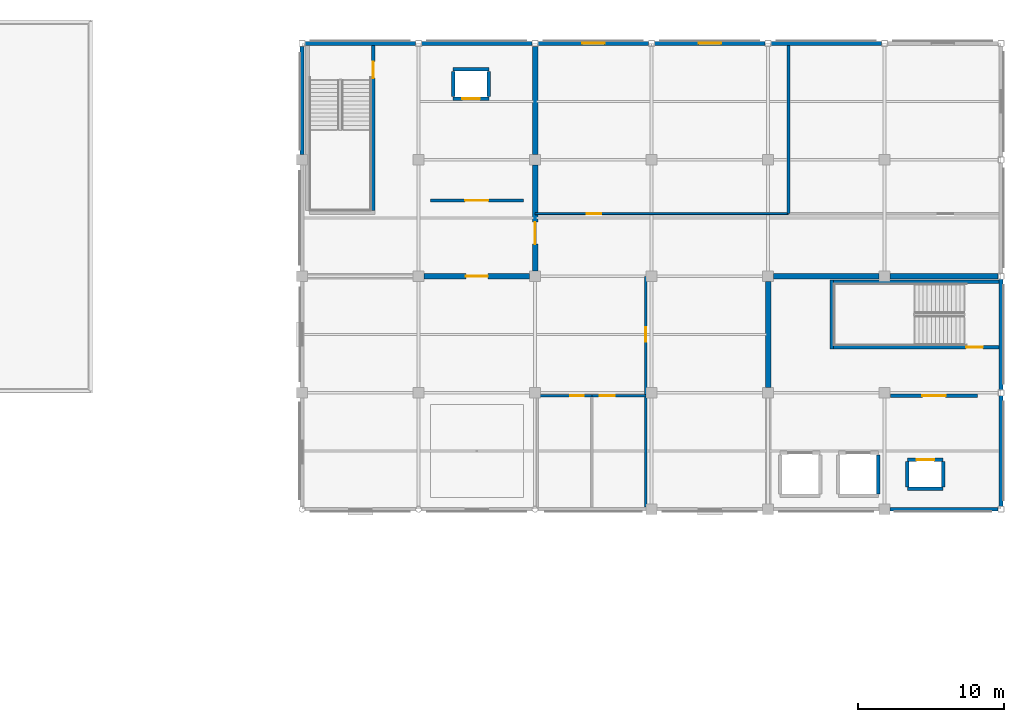
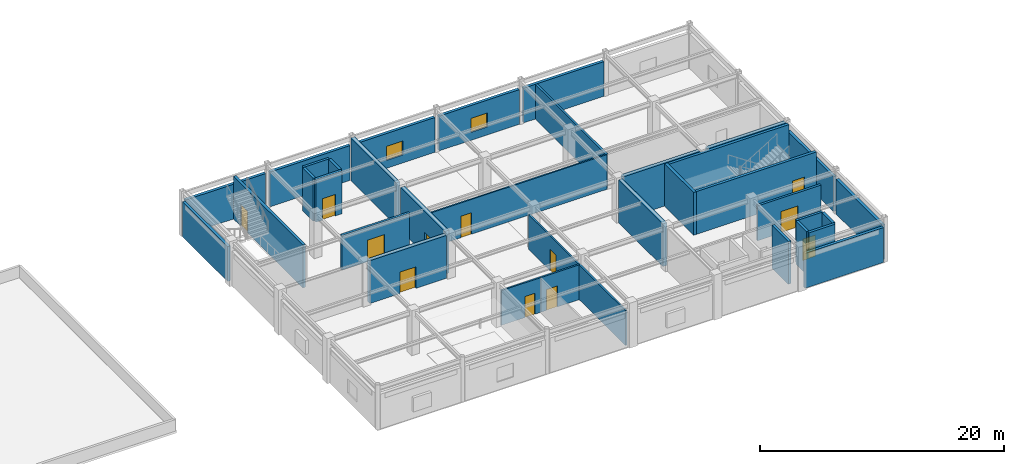
# One storey, part 34 of 42: 35 walls, 12 doors, 2 windows, 14 openings.
"""IFC4 building model written with IfcOpenShell, lengths in metres."""

import ifcopenshell
import ifcopenshell.guid

model = None  # the IFC model being written
_history = None  # IfcOwnerHistory: only IFC2X3 demands one
_inside = {}  # id of a spatial element -> (the spatial element, [elements in it])
_under = {}  # id of a project, library or spatial element -> (it, [spatial elements below it])
_declared = {}  # id of a project -> (the project, [libraries it declares])
_typed = {}  # id of a type object -> (the type object, [elements of that type])
_made_of = {}  # id of a material, layer set ... -> (it, [elements and type objects made of it])


def new_model(schema):
    """Start an empty IFC model of exactly this schema.

    Asked for "IFC4X3", IfcOpenShell would pick the latest addendum, in which some entities
    have other attributes; the version numbers below select the first issue.
    IFC2X3 requires an IfcOwnerHistory on every rooted entity: one is made here for all.
    """
    global model, _history
    if schema == "IFC4X3":
        model = ifcopenshell.file(schema_version=(4, 3, 0, 0))
    else:
        model = ifcopenshell.file(schema=schema)
    _inside.clear()
    _under.clear()
    _declared.clear()
    _typed.clear()
    _made_of.clear()
    _history = None
    if model.schema == "IFC2X3":
        org = make("IfcOrganization", Name="unknown")
        user = make(
            "IfcPersonAndOrganization",
            ThePerson=make("IfcPerson", FamilyName="unknown"),
            TheOrganization=org,
        )
        app = make(
            "IfcApplication",
            ApplicationDeveloper=org,
            Version="unknown",
            ApplicationFullName="unknown",
            ApplicationIdentifier="unknown",
        )
        _history = make(
            "IfcOwnerHistory",
            OwningUser=user,
            OwningApplication=app,
            ChangeAction="ADDED",
            CreationDate=0,
        )
    return model


def make(cls, **values):
    """One entity of the class cls with the attributes given. An attribute that is None is left unset."""
    return model.create_entity(
        cls, **{name: value for name, value in values.items() if value is not None}
    )


def rooted(cls, **values):
    """An entity with a GlobalId (a new one), such as an element, a storey or a relation."""
    return make(cls, GlobalId=ifcopenshell.guid.new(), OwnerHistory=_history, **values)


def si_unit(unit_type, name, prefix=None):
    """IfcSIUnit, for example si_unit("LENGTHUNIT", "METRE", prefix="MILLI")."""
    return make("IfcSIUnit", UnitType=unit_type, Prefix=prefix, Name=name)


def assignment(units):
    """IfcUnitAssignment: the units of a project."""
    return None if units is None else make("IfcUnitAssignment", Units=units)


def point(xyz):
    """IfcCartesianPoint."""
    return None if xyz is None else make("IfcCartesianPoint", Coordinates=xyz)


def direction(xyz):
    """IfcDirection."""
    return None if xyz is None else make("IfcDirection", DirectionRatios=xyz)


def frame(location, z_axis=None, x_axis=None):
    """IfcAxis2Placement3D, a coordinate frame: its origin and axes. An axis left out is left unset."""
    return make(
        "IfcAxis2Placement3D",
        Location=point(location),
        Axis=direction(z_axis),
        RefDirection=direction(x_axis),
    )


def frame_2d(location, x_axis=None):
    """IfcAxis2Placement2D, a coordinate frame in the plane: its origin and x axis."""
    return make(
        "IfcAxis2Placement2D", Location=point(location), RefDirection=direction(x_axis)
    )


def origin():
    """The frame at (0, 0, 0) with its axes left unset."""
    return frame((0.0, 0.0, 0.0))


def place(relative_to, where):
    """IfcLocalPlacement: puts the frame where relative to a parent placement (None: the world)."""
    return make(
        "IfcLocalPlacement", PlacementRelTo=relative_to, RelativePlacement=where
    )


def context(
    kind, dimensions, precision=None, world=None, true_north=None, identifier=None
):
    """IfcGeometricRepresentationContext, for example the 3D "Model" context."""
    return make(
        "IfcGeometricRepresentationContext",
        ContextIdentifier=identifier,
        ContextType=kind,
        CoordinateSpaceDimension=dimensions,
        Precision=precision,
        WorldCoordinateSystem=world,
        TrueNorth=true_north,
    )


def subcontext(parent, identifier, kind, view, scale=None):
    """IfcGeometricRepresentationSubContext, for example "Body" below "Model"."""
    return make(
        "IfcGeometricRepresentationSubContext",
        ContextIdentifier=identifier,
        ContextType=kind,
        ParentContext=parent,
        TargetScale=scale,
        TargetView=view,
    )


def project(units=None, contexts=None):
    """IfcProject with its units and contexts."""
    return rooted(
        "IfcProject",
        Name="project",
        RepresentationContexts=contexts,
        UnitsInContext=assignment(units),
    )


def spatial(cls, under=None, at=None, **own):
    """A site, building, storey or space (cls), placed at a placement, below another one or the project."""
    s = rooted(cls, ObjectPlacement=at, **own)
    if under is not None:
        _under.setdefault(under.id(), (under, []))[1].append(s)
    return s


def profile(cls, at=None, kind="AREA", **sizes):
    """A parametric profile (cls). Its sizes go by their IFC names, for example OverallWidth=200.0."""
    return make(cls, ProfileType=kind, Position=at, **sizes)


def rectangle(**sizes):
    """IfcRectangleProfileDef."""
    return profile("IfcRectangleProfileDef", **sizes)


def extrude(swept, where, along, depth):
    """IfcExtrudedAreaSolid: the profile swept, set in the frame where, extruded along a direction by depth."""
    return make(
        "IfcExtrudedAreaSolid",
        SweptArea=swept,
        Position=where,
        ExtrudedDirection=direction(along),
        Depth=depth,
    )


def shape(context_of_items, identifier, shape_type, items):
    """IfcShapeRepresentation: the items that make up one representation, for example the "Body"."""
    return make(
        "IfcShapeRepresentation",
        ContextOfItems=context_of_items,
        RepresentationIdentifier=identifier,
        RepresentationType=shape_type,
        Items=items,
    )


def material(Name=None, Category=None):
    """IfcMaterial."""
    return make("IfcMaterial", Name=Name, Category=Category)


def layer(
    of_material, thickness, ventilated=None, Name=None, Category=None, Priority=None
):
    """IfcMaterialLayer: one layer of a wall or slab, of a material (None: an air gap)."""
    return make(
        "IfcMaterialLayer",
        Material=of_material,
        LayerThickness=thickness,
        IsVentilated=ventilated,
        Name=Name,
        Category=Category,
        Priority=Priority,
    )


def layer_set(layers, Name=None):
    """IfcMaterialLayerSet."""
    return make("IfcMaterialLayerSet", MaterialLayers=layers, LayerSetName=Name)


def made_of(thing, what):
    """Note that an element or type object is made of a material, layer set ...; save() writes the relation."""
    if what is not None:
        _made_of.setdefault(what.id(), (what, []))[1].append(thing)
    return thing


def type_object(cls, material=None, **own):
    """A type object (cls), such as IfcWallType, which elements share."""
    return made_of(rooted(cls, **own), material)


def element(
    cls,
    number,
    at=None,
    inside=None,
    cuts=None,
    type_object=None,
    material=None,
    context=None,
    identifier="Body",
    shape_type=None,
    held_by="IfcProductDefinitionShape",
    body=None,
    shapes=None,
    **own,
):
    """One element of the class cls, such as IfcWall. Its Tag is "e" and its number.

    at: its placement. inside: the storey or other place that contains it. cuts: it is an
    opening in that element (IfcRelVoidsElement). A single representation is given by context,
    identifier, shape_type and body (its items); several are given by shapes. held_by: the class
    of the entity that holds the representations. save() writes the other relations.
    """
    e = rooted(cls, Tag="e%d" % number, ObjectPlacement=at, **own)
    if body is not None:
        shapes = [shape(context, identifier, shape_type, body)]
    if shapes is not None:
        e.Representation = make(held_by, Representations=shapes)
    if inside is not None:
        _inside.setdefault(inside.id(), (inside, []))[1].append(e)
    if cuts is not None:
        rooted(
            "IfcRelVoidsElement", RelatingBuildingElement=cuts, RelatedOpeningElement=e
        )
    if type_object is not None:
        _typed.setdefault(type_object.id(), (type_object, []))[1].append(e)
    return made_of(e, material)


def fill(opening, filler):
    """IfcRelFillsElement: the door or window that sits in an opening."""
    return rooted(
        "IfcRelFillsElement",
        RelatingOpeningElement=opening,
        RelatedBuildingElement=filler,
    )


def aggregate(whole, parts):
    """IfcRelAggregates: a whole, such as a stair, and the parts it consists of."""
    return rooted("IfcRelAggregates", RelatingObject=whole, RelatedObjects=parts)


def save(model, path):
    """Write the relations noted so far, then the file.

    IfcRelAggregates (storeys below a building ...), IfcRelContainedInSpatialStructure (elements
    in a storey), IfcRelDefinesByType, IfcRelAssociatesMaterial and IfcRelDeclares: one each for
    every whole, place, type object, material and project.
    """
    for whole, parts in _under.values():
        aggregate(whole, parts)
    for where, things in _inside.values():
        rooted(
            "IfcRelContainedInSpatialStructure",
            RelatedElements=things,
            RelatingStructure=where,
        )
    for kind, things in _typed.values():
        rooted("IfcRelDefinesByType", RelatedObjects=things, RelatingType=kind)
    for what, things in _made_of.values():
        rooted("IfcRelAssociatesMaterial", RelatedObjects=things, RelatingMaterial=what)
    for by, libraries in _declared.values():
        rooted("IfcRelDeclares", RelatingContext=by, RelatedDefinitions=libraries)
    model.write(path)


model = new_model("IFC4")

# Units and contexts
model_context = context("Model", 3, precision=1e-05, world=origin(), true_north=direction((0.0, 1.0)))
body_context = subcontext(model_context, "Body", "Model", "MODEL_VIEW")
ifc_project = project(units=[si_unit("LENGTHUNIT", "METRE"), si_unit("AREAUNIT", "SQUARE_METRE"), si_unit("VOLUMEUNIT", "CUBIC_METRE"), si_unit("PLANEANGLEUNIT", "RADIAN"), si_unit("MASSUNIT", "GRAM", prefix="KILO")], contexts=[model_context])

# Site, building, storey
site_placement = place(None, origin())
site = spatial("IfcSite", under=ifc_project, at=site_placement, CompositionType="ELEMENT")
building_placement = place(site_placement, origin())
building = spatial("IfcBuilding", under=site, at=building_placement, Name="Solmirada Galleria", CompositionType="ELEMENT")
storey_placement = place(building_placement, frame((0.0, 0.0, 28.39990234375)))
storey = spatial("IfcBuildingStorey", under=building, at=storey_placement, Name="L06", CompositionType="ELEMENT", Elevation=28.39990234375)

# Wall, opening, door
ifc_material_1 = material(Name="Concrete C40/50", Category="concrete")
ifc_layer_1 = layer(ifc_material_1, 0.3798828125)
ifc_layer_set_1 = layer_set([ifc_layer_1], Name="Concrete C40/50")
wall_type_1 = type_object("IfcWallType", Name="WL-CORE-380", PredefinedType="SHEAR", material=ifc_layer_set_1)
wall_1_placement = place(storey_placement, frame((136.375, 104.0, 0.0), z_axis=(0.0, 0.0, 1.0), x_axis=(1.0, 0.0, 0.0)))
wall_1 = element("IfcWall", 1, at=wall_1_placement, inside=storey, type_object=wall_type_1, Name="Core C3 shear wall L06 S2", PredefinedType="SHEAR", context=body_context, shape_type="SweptSolid", body=[
    extrude(rectangle(XDim=7.25, YDim=0.3798828125, at=frame_2d((3.625, 0.0))), origin(), (0.0, 0.0, 1.0), 4.280029296875),
])
opening_1_placement = place(wall_1_placement, frame((2.875, 0.0, 0.0)))
opening_1 = element("IfcOpeningElement", 2, at=opening_1_placement, cuts=wall_1, Name="Opening LDY-198", PredefinedType="OPENING", context=body_context, shape_type="SweptSolid", body=[
    extrude(rectangle(XDim=1.5, YDim=2.14990234375, at=frame_2d((0.75, 1.074951171875))), frame((0.0, 0.199951171875, 0.0), z_axis=(0.0, -1.0, 0.0), x_axis=(1.0, 0.0, 0.0)), (0.0, 0.0, 1.0), 0.39990234375),
])
ifc_material_2 = material(Name="Fire-rated painted steel door assembly", Category="steel")
door_type_1 = type_object("IfcDoorType", Name="DR-LOBBY-150X215", OperationType="DOUBLE_DOOR_SINGLE_SWING", PredefinedType="DOOR", material=ifc_material_2)
door_1_placement = place(opening_1_placement, origin())
door_1 = element("IfcDoor", 3, at=door_1_placement, inside=storey, type_object=door_type_1, Name="Core C3 lobby access fire door LDY-198", OperationType="DOUBLE_DOOR_SINGLE_SWING", OverallHeight=2.14990234375, OverallWidth=1.5, PredefinedType="DOOR", context=body_context, shape_type="SweptSolid", body=[
    extrude(rectangle(XDim=1.5, YDim=2.14990234375, at=frame_2d((0.75, 1.074951171875))), frame((0.0, 0.02490234375, 0.0), z_axis=(0.0, -1.0, 0.0), x_axis=(1.0, 0.0, 0.0)), (0.0, 0.0, 1.0), 0.050048828125),
])
fill(opening_1, door_1)

wall_2_placement = place(storey_placement, frame((144.0, 104.375, 0.0), z_axis=(0.0, 0.0, 1.0), x_axis=(0.0, 1.0, 0.0)))
wall_2 = element("IfcWall", 4, at=wall_2_placement, inside=storey, type_object=wall_type_1, Name="Core C3 shear wall L06 E1", PredefinedType="SHEAR", context=body_context, shape_type="SweptSolid", body=[
    extrude(rectangle(XDim=7.25, YDim=0.3798828125, at=frame_2d((3.625, 0.0))), origin(), (0.0, 0.0, 1.0), 4.280029296875),
])
opening_2_placement = place(wall_2_placement, frame((1.837890625, 0.0, 0.0)))
opening_2 = element("IfcOpeningElement", 5, at=opening_2_placement, cuts=wall_2, Name="Opening LDY-199", PredefinedType="OPENING", context=body_context, shape_type="SweptSolid", body=[
    extrude(rectangle(XDim=1.5, YDim=2.14990234375, at=frame_2d((0.75, 1.074951171875))), frame((0.0, 0.199951171875, 0.0), z_axis=(0.0, -1.0, 0.0), x_axis=(1.0, 0.0, 0.0)), (0.0, 0.0, 1.0), 0.39990234375),
])
door_2_placement = place(opening_2_placement, origin())
door_2 = element("IfcDoor", 6, at=door_2_placement, inside=storey, type_object=door_type_1, Name="Core C3 lobby access fire door LDY-199", OperationType="DOUBLE_DOOR_SINGLE_SWING", OverallHeight=2.14990234375, OverallWidth=1.5, PredefinedType="DOOR", context=body_context, shape_type="SweptSolid", body=[
    extrude(rectangle(XDim=1.5, YDim=2.14990234375, at=frame_2d((0.75, 1.074951171875))), frame((0.0, 0.02490234375, 0.0), z_axis=(0.0, -1.0, 0.0), x_axis=(1.0, 0.0, 0.0)), (0.0, 0.0, 1.0), 0.050048828125),
])
fill(opening_2, door_2)

# Walls
wall_3_placement = place(storey_placement, frame((144.0, 112.375, 0.0), z_axis=(0.0, 0.0, 1.0), x_axis=(0.0, 1.0, 0.0)))
element("IfcWall", 7, at=wall_3_placement, inside=storey, type_object=wall_type_1, Name="Core C3 shear wall L06 E2", PredefinedType="SHEAR", context=body_context, shape_type="SweptSolid", body=[
    extrude(rectangle(XDim=7.422119140625, YDim=0.3798828125, at=frame_2d((3.7109375, 0.0))), origin(), (0.0, 0.0, 1.0), 4.280029296875),
])
wall_4_placement = place(storey_placement, frame((160.375, 104.0, 0.0), z_axis=(0.0, 0.0, 1.0), x_axis=(1.0, 0.0, 0.0)))
element("IfcWall", 8, at=wall_4_placement, inside=storey, type_object=wall_type_1, Name="Core C4 shear wall L06 N1", PredefinedType="SHEAR", context=body_context, shape_type="SweptSolid", body=[
    extrude(rectangle(XDim=7.25, YDim=0.3798828125, at=frame_2d((3.625, 0.0))), origin(), (0.0, 0.0, 1.0), 4.280029296875),
])
wall_5_placement = place(storey_placement, frame((168.375, 104.0, 0.0), z_axis=(0.0, 0.0, 1.0), x_axis=(1.0, 0.0, 0.0)))
element("IfcWall", 9, at=wall_5_placement, inside=storey, type_object=wall_type_1, Name="Core C4 shear wall L06 N2", PredefinedType="SHEAR", context=body_context, shape_type="SweptSolid", body=[
    extrude(rectangle(XDim=7.422119140625, YDim=0.3798828125, at=frame_2d((3.7109375, 0.0))), origin(), (0.0, 0.0, 1.0), 4.280029296875),
])
wall_6_placement = place(storey_placement, frame((160.0, 96.375, 0.0), z_axis=(0.0, 0.0, 1.0), x_axis=(0.0, 1.0, 0.0)))
element("IfcWall", 10, at=wall_6_placement, inside=storey, type_object=wall_type_1, Name="Core C4 shear wall L06 W2", PredefinedType="SHEAR", context=body_context, shape_type="SweptSolid", body=[
    extrude(rectangle(XDim=7.25, YDim=0.3798828125, at=frame_2d((3.625, 0.0))), origin(), (0.0, 0.0, 1.0), 4.280029296875),
])

# Wall, opening, window
ifc_material_3 = material(Name="Precast concrete C40/50", Category="concrete")
ifc_layer_2 = layer(ifc_material_3, 0.27001953125)
ifc_layer_set_2 = layer_set([ifc_layer_2], Name="Precast concrete C40/50")
wall_type_2 = type_object("IfcWallType", Name="WL-EXT-270", PredefinedType="STANDARD", material=ifc_layer_set_2)
wall_7_placement = place(storey_placement, frame((152.202880859375, 120.0, 0.0), z_axis=(0.0, 0.0, 1.0), x_axis=(1.0, 0.0, 0.0)))
wall_7 = element("IfcWall", 11, at=wall_7_placement, inside=storey, type_object=wall_type_2, Name="Exterior wall L06 bay 041", PredefinedType="STANDARD", context=body_context, shape_type="SweptSolid", body=[
    extrude(rectangle(XDim=7.59423828125, YDim=0.27001953125, at=frame_2d((3.797119140625, 0.0))), origin(), (0.0, 0.0, 1.0), 3.47998046875),
])
opening_3_placement = place(wall_7_placement, frame((3.02197265625, 0.0, 0.800048828125)))
opening_3 = element("IfcOpeningElement", 12, at=opening_3_placement, cuts=wall_7, Name="Opening WN14", PredefinedType="OPENING", context=body_context, shape_type="SweptSolid", body=[
    extrude(rectangle(XDim=1.550048828125, YDim=1.39990234375, at=frame_2d((0.77490234375, 0.699951171875))), frame((0.0, 0.14501953125, 0.0), z_axis=(0.0, -1.0, 0.0), x_axis=(1.0, 0.0, 0.0)), (0.0, 0.0, 1.0), 0.2900390625),
])
ifc_material_4 = material(Name="Impact-resistant low-E double glazing", Category="glass")
window_type = type_object("IfcWindowType", Name="WIN-OFF-155X140", PartitioningType="SINGLE_PANEL", PredefinedType="WINDOW", material=ifc_material_4)
window_1_placement = place(opening_3_placement, origin())
window_1 = element("IfcWindow", 13, at=window_1_placement, inside=storey, type_object=window_type, Name="Window L06-203", OverallHeight=1.39990234375, OverallWidth=1.550048828125, PartitioningType="SINGLE_PANEL", PredefinedType="WINDOW", context=body_context, shape_type="SweptSolid", body=[
    extrude(rectangle(XDim=1.550048828125, YDim=1.39990234375, at=frame_2d((0.77490234375, 0.699951171875))), frame((0.0, 0.030029296875, 0.0), z_axis=(0.0, -1.0, 0.0), x_axis=(1.0, 0.0, 0.0)), (0.0, 0.0, 1.0), 0.06005859375),
])
fill(opening_3, window_1)

# Walls
for number, where, z_axis, x_axis, name in (
    (14, (160.202880859375, 120.0, 0.0), (0.0, 0.0, 1.0), (1.0, 0.0, 0.0), "Exterior wall L06 bay 042"),
    (15, (176.0, 103.797119140625, 0.0), (0.0, 0.0, 1.0), (0.0, -1.0, 0.0), "Exterior wall L06 bay 046"),
    (16, (176.0, 95.797119140625, 0.0), (0.0, 0.0, 1.0), (0.0, -1.0, 0.0), "Exterior wall L06 bay 047"),
):
    element("IfcWall", number, at=place(storey_placement, frame(where, z_axis=z_axis, x_axis=x_axis)), inside=storey, type_object=wall_type_2, Name=name, PredefinedType="STANDARD", context=body_context, shape_type="SweptSolid", body=[
        extrude(rectangle(XDim=7.59423828125, YDim=0.27001953125, at=frame_2d((3.797119140625, 0.0))), origin(), (0.0, 0.0, 1.0), 3.47998046875),
    ])
for number, where, z_axis, x_axis, name in (
    (17, (175.797119140625, 88.0, 0.0), (0.0, 0.0, 1.0), (-1.0, 0.0, 0.0), "Exterior wall L06 bay 048"),
    (18, (128.0, 112.375, 0.0), (0.0, 0.0, 1.0), (0.0, 1.0, 0.0), "Exterior wall L06 bay 057"),
):
    element("IfcWall", number, at=place(storey_placement, frame(where, z_axis=z_axis, x_axis=x_axis)), inside=storey, type_object=wall_type_2, Name=name, PredefinedType="STANDARD", context=body_context, shape_type="SweptSolid", body=[
        extrude(rectangle(XDim=7.422119140625, YDim=0.27001953125, at=frame_2d((3.7109375, 0.0))), origin(), (0.0, 0.0, 1.0), 3.47998046875),
    ])
for number, where, z_axis, x_axis, name in (
    (19, (128.202880859375, 120.0, 0.0), (0.0, 0.0, 1.0), (1.0, 0.0, 0.0), "Exterior wall L06 bay 058"),
    (20, (136.202880859375, 120.0, 0.0), (0.0, 0.0, 1.0), (1.0, 0.0, 0.0), "Exterior wall L06 bay 059"),
):
    element("IfcWall", number, at=place(storey_placement, frame(where, z_axis=z_axis, x_axis=x_axis)), inside=storey, type_object=wall_type_2, Name=name, PredefinedType="STANDARD", context=body_context, shape_type="SweptSolid", body=[
        extrude(rectangle(XDim=7.59423828125, YDim=0.27001953125, at=frame_2d((3.797119140625, 0.0))), origin(), (0.0, 0.0, 1.0), 3.47998046875),
    ])

# Wall, opening, window
wall_8_placement = place(storey_placement, frame((144.202880859375, 120.0, 0.0), z_axis=(0.0, 0.0, 1.0), x_axis=(1.0, 0.0, 0.0)))
wall_8 = element("IfcWall", 21, at=wall_8_placement, inside=storey, type_object=wall_type_2, Name="Exterior wall L06 bay 060", PredefinedType="STANDARD", context=body_context, shape_type="SweptSolid", body=[
    extrude(rectangle(XDim=7.59423828125, YDim=0.27001953125, at=frame_2d((3.797119140625, 0.0))), origin(), (0.0, 0.0, 1.0), 3.47998046875),
])
opening_4_placement = place(wall_8_placement, frame((3.02197265625, 0.0, 0.800048828125)))
opening_4 = element("IfcOpeningElement", 22, at=opening_4_placement, cuts=wall_8, Name="Opening WN14", PredefinedType="OPENING", context=body_context, shape_type="SweptSolid", body=[
    extrude(rectangle(XDim=1.550048828125, YDim=1.39990234375, at=frame_2d((0.77490234375, 0.699951171875))), frame((0.0, 0.14501953125, 0.0), z_axis=(0.0, -1.0, 0.0), x_axis=(1.0, 0.0, 0.0)), (0.0, 0.0, 1.0), 0.2900390625),
])
window_2_placement = place(opening_4_placement, origin())
window_2 = element("IfcWindow", 23, at=window_2_placement, inside=storey, type_object=window_type, Name="Window L06-211", OverallHeight=1.39990234375, OverallWidth=1.550048828125, PartitioningType="SINGLE_PANEL", PredefinedType="WINDOW", context=body_context, shape_type="SweptSolid", body=[
    extrude(rectangle(XDim=1.550048828125, YDim=1.39990234375, at=frame_2d((0.77490234375, 0.699951171875))), frame((0.0, 0.030029296875, 0.0), z_axis=(0.0, -1.0, 0.0), x_axis=(1.0, 0.0, 0.0)), (0.0, 0.0, 1.0), 0.06005859375),
])
fill(opening_4, window_2)

# Wall, opening, door
ifc_layer_3 = layer(ifc_material_1, 0.239990234375)
ifc_layer_set_3 = layer_set([ifc_layer_3], Name="Concrete C40/50")
wall_type_3 = type_object("IfcWallType", Name="WL-HOIST-240", PredefinedType="PARTITIONING", material=ifc_layer_set_3)
wall_9_placement = place(storey_placement, frame((138.3701171875, 116.195068359375, 0.0), z_axis=(0.0, 0.0, 1.0), x_axis=(1.0, 0.0, 0.0)))
wall_9 = element("IfcWall", 24, at=wall_9_placement, inside=storey, type_object=wall_type_3, Name="Lift FL1 hoistway front wall L06", PredefinedType="PARTITIONING", context=body_context, shape_type="SweptSolid", body=[
    extrude(rectangle(XDim=2.4599609375, YDim=0.239990234375, at=frame_2d((1.22998046875, 0.0))), origin(), (0.0, 0.0, 1.0), 4.280029296875),
])
opening_5_placement = place(wall_9_placement, frame((0.6298828125, 0.0, 0.0)))
opening_5 = element("IfcOpeningElement", 25, at=opening_5_placement, cuts=wall_9, Name="Opening LD-FL1-L06", PredefinedType="OPENING", context=body_context, shape_type="SweptSolid", body=[
    extrude(rectangle(XDim=1.199951171875, YDim=2.14990234375, at=frame_2d((0.60009765625, 1.074951171875))), frame((0.0, 0.1298828125, 0.0), z_axis=(0.0, -1.0, 0.0), x_axis=(1.0, 0.0, 0.0)), (0.0, 0.0, 1.0), 0.260009765625),
])
ifc_material_5 = material(Name="Brushed stainless-steel sliding landing door", Category="steel")
door_type_2 = type_object("IfcDoorType", Name="DR-LIFT-120X215", OperationType="SLIDING_TO_LEFT", PredefinedType="DOOR", material=ifc_material_5)
door_3_placement = place(opening_5_placement, origin())
door_3 = element("IfcDoor", 26, at=door_3_placement, inside=storey, type_object=door_type_2, Name="Lift FL1 sliding landing door L06", OperationType="SLIDING_TO_LEFT", OverallHeight=2.14990234375, OverallWidth=1.199951171875, PredefinedType="DOOR", context=body_context, shape_type="SweptSolid", body=[
    extrude(rectangle(XDim=1.199951171875, YDim=2.14990234375, at=frame_2d((0.60009765625, 1.074951171875))), frame((0.0, 0.02490234375, 0.0), z_axis=(0.0, -1.0, 0.0), x_axis=(1.0, 0.0, 0.0)), (0.0, 0.0, 1.0), 0.050048828125),
])
fill(opening_5, door_3)

# Walls
wall_10_placement = place(storey_placement, frame((138.3701171875, 118.205078125, 0.0), z_axis=(0.0, 0.0, 1.0), x_axis=(1.0, 0.0, 0.0)))
element("IfcWall", 27, at=wall_10_placement, inside=storey, type_object=wall_type_3, Name="Lift FL1 hoistway rear wall L06", PredefinedType="PARTITIONING", context=body_context, shape_type="SweptSolid", body=[
    extrude(rectangle(XDim=2.4599609375, YDim=0.239990234375, at=frame_2d((1.22998046875, 0.0))), origin(), (0.0, 0.0, 1.0), 4.280029296875),
])
for number, where, z_axis, x_axis, name in (
    (28, (138.3701171875, 116.3349609375, 0.0), (0.0, 0.0, 1.0), (0.0, 1.0, 0.0), "Lift FL1 hoistway side wall L L06"),
    (29, (140.830078125, 116.3349609375, 0.0), (0.0, 0.0, 1.0), (0.0, 1.0, 0.0), "Lift FL1 hoistway side wall R L06"),
):
    element("IfcWall", number, at=place(storey_placement, frame(where, z_axis=z_axis, x_axis=x_axis)), inside=storey, type_object=wall_type_3, Name=name, PredefinedType="PARTITIONING", context=body_context, shape_type="SweptSolid", body=[
        extrude(rectangle(XDim=1.72998046875, YDim=0.239990234375, at=frame_2d((0.864990234375, 0.0))), origin(), (0.0, 0.0, 1.0), 4.280029296875),
    ])

# Wall, opening, door
wall_11_placement = place(storey_placement, frame((169.570068359375, 91.405029296875, 0.0), z_axis=(0.0, 0.0, 1.0), x_axis=(1.0, 0.0, 0.0)))
wall_11 = element("IfcWall", 30, at=wall_11_placement, inside=storey, type_object=wall_type_3, Name="Lift FL2 hoistway front wall L06", PredefinedType="PARTITIONING", context=body_context, shape_type="SweptSolid", body=[
    extrude(rectangle(XDim=2.4599609375, YDim=0.239990234375, at=frame_2d((1.22998046875, 0.0))), origin(), (0.0, 0.0, 1.0), 4.280029296875),
])
opening_6_placement = place(wall_11_placement, frame((0.6298828125, 0.0, 0.0)))
opening_6 = element("IfcOpeningElement", 31, at=opening_6_placement, cuts=wall_11, Name="Opening LD-FL2-L06", PredefinedType="OPENING", context=body_context, shape_type="SweptSolid", body=[
    extrude(rectangle(XDim=1.199951171875, YDim=2.14990234375, at=frame_2d((0.60009765625, 1.074951171875))), frame((0.0, 0.1298828125, 0.0), z_axis=(0.0, -1.0, 0.0), x_axis=(1.0, 0.0, 0.0)), (0.0, 0.0, 1.0), 0.260009765625),
])
door_4_placement = place(opening_6_placement, origin())
door_4 = element("IfcDoor", 32, at=door_4_placement, inside=storey, type_object=door_type_2, Name="Lift FL2 sliding landing door L06", OperationType="SLIDING_TO_LEFT", OverallHeight=2.14990234375, OverallWidth=1.199951171875, PredefinedType="DOOR", context=body_context, shape_type="SweptSolid", body=[
    extrude(rectangle(XDim=1.199951171875, YDim=2.14990234375, at=frame_2d((0.60009765625, 1.074951171875))), frame((0.0, 0.02490234375, 0.0), z_axis=(0.0, -1.0, 0.0), x_axis=(1.0, 0.0, 0.0)), (0.0, 0.0, 1.0), 0.050048828125),
])
fill(opening_6, door_4)

# Walls
wall_12_placement = place(storey_placement, frame((169.570068359375, 89.39501953125, 0.0), z_axis=(0.0, 0.0, 1.0), x_axis=(1.0, 0.0, 0.0)))
element("IfcWall", 33, at=wall_12_placement, inside=storey, type_object=wall_type_3, Name="Lift FL2 hoistway rear wall L06", PredefinedType="PARTITIONING", context=body_context, shape_type="SweptSolid", body=[
    extrude(rectangle(XDim=2.4599609375, YDim=0.239990234375, at=frame_2d((1.22998046875, 0.0))), origin(), (0.0, 0.0, 1.0), 4.280029296875),
])
for number, where, z_axis, x_axis, name in (
    (34, (169.570068359375, 89.534912109375, 0.0), (0.0, 0.0, 1.0), (0.0, 1.0, 0.0), "Lift FL2 hoistway side wall L L06"),
    (35, (172.030029296875, 89.534912109375, 0.0), (0.0, 0.0, 1.0), (0.0, 1.0, 0.0), "Lift FL2 hoistway side wall R L06"),
):
    element("IfcWall", number, at=place(storey_placement, frame(where, z_axis=z_axis, x_axis=x_axis)), inside=storey, type_object=wall_type_3, Name=name, PredefinedType="PARTITIONING", context=body_context, shape_type="SweptSolid", body=[
        extrude(rectangle(XDim=1.72998046875, YDim=0.239990234375, at=frame_2d((0.864990234375, 0.0))), origin(), (0.0, 0.0, 1.0), 4.280029296875),
    ])
wall_13_placement = place(storey_placement, frame((167.580078125, 89.06005859375, 0.0), z_axis=(0.0, 0.0, 1.0), x_axis=(0.0, 1.0, 0.0)))
element("IfcWall", 36, at=wall_13_placement, inside=storey, type_object=wall_type_3, Name="Lift GF1 hoistway side wall R L06", PredefinedType="PARTITIONING", context=body_context, shape_type="SweptSolid", body=[
    extrude(rectangle(XDim=2.679931640625, YDim=0.239990234375, at=frame_2d((1.33984375, 0.0))), origin(), (0.0, 0.0, 1.0), 4.280029296875),
])

# Wall, opening, door
ifc_material_6 = material(Name="Acoustic gypsum board partition")
ifc_layer_4 = layer(ifc_material_6, 0.135009765625)
ifc_layer_set_4 = layer_set([ifc_layer_4], Name="Acoustic gypsum board partition")
wall_type_4 = type_object("IfcWallType", Name="WL-PART-135", PredefinedType="PARTITIONING", material=ifc_layer_set_4)
wall_14_placement = place(storey_placement, frame((144.0, 108.300048828125, 0.0), z_axis=(0.0, 0.0, 1.0), x_axis=(1.0, 0.0, 0.0)))
wall_14 = element("IfcWall", 37, at=wall_14_placement, inside=storey, type_object=wall_type_4, Name="Partition L06-170 (Senior Office/Studio L06)", PredefinedType="PARTITIONING", context=body_context, shape_type="SweptSolid", body=[
    extrude(rectangle(XDim=17.39990234375, YDim=0.135009765625, at=frame_2d((8.699951171875, 0.0))), origin(), (0.0, 0.0, 1.0), 3.47998046875),
])
opening_7_placement = place(wall_14_placement, frame((3.553955078125, 0.0, 0.0)))
opening_7 = element("IfcOpeningElement", 38, at=opening_7_placement, cuts=wall_14, Name="Opening ID-378", PredefinedType="OPENING", context=body_context, shape_type="SweptSolid", body=[
    extrude(rectangle(XDim=1.0, YDim=2.14990234375, at=frame_2d((0.5, 1.074951171875))), frame((0.0, 0.077392578125, 0.0), z_axis=(0.0, -1.0, 0.0), x_axis=(1.0, 0.0, 0.0)), (0.0, 0.0, 1.0), 0.155029296875),
])
ifc_material_7 = material(Name="Architectural hardwood veneer door", Category="wood")
door_type_3 = type_object("IfcDoorType", Name="DR-ROOM-100X215", OperationType="NOTDEFINED", PredefinedType="DOOR", material=ifc_material_7)
door_5_placement = place(opening_7_placement, origin())
door_5 = element("IfcDoor", 39, at=door_5_placement, inside=storey, type_object=door_type_3, Name="Senior Office/Studio L06 door ID-378", OperationType="SINGLE_SWING_LEFT", OverallHeight=2.14990234375, OverallWidth=1.0, PredefinedType="DOOR", context=body_context, shape_type="SweptSolid", body=[
    extrude(rectangle(XDim=1.0, YDim=2.14990234375, at=frame_2d((0.5, 1.074951171875))), frame((0.0, 0.02490234375, 0.0), z_axis=(0.0, -1.0, 0.0), x_axis=(1.0, 0.0, 0.0)), (0.0, 0.0, 1.0), 0.050048828125),
])
fill(opening_7, door_5)

ifc_layer_5 = layer(ifc_material_6, 0.159912109375)
ifc_layer_set_5 = layer_set([ifc_layer_5], Name="Acoustic gypsum board partition")
wall_type_5 = type_object("IfcWallType", Name="WL-PART-160", PredefinedType="PARTITIONING", material=ifc_layer_set_5)
wall_15_placement = place(storey_placement, frame((144.14990234375, 95.800048828125, 0.0), z_axis=(0.0, 0.0, 1.0), x_axis=(1.0, 0.0, 0.0)))
wall_15 = element("IfcWall", 40, at=wall_15_placement, inside=storey, type_object=wall_type_5, Name="Partition L06-165 (Staff Restroom L06)", PredefinedType="PARTITIONING", context=body_context, shape_type="SweptSolid", body=[
    extrude(rectangle(XDim=3.75, YDim=0.159912109375, at=frame_2d((1.875, 0.0))), origin(), (0.0, 0.0, 1.0), 3.47998046875),
])
opening_8_placement = place(wall_15_placement, frame((2.26708984375, 0.0, 0.0)))
opening_8 = element("IfcOpeningElement", 41, at=opening_8_placement, cuts=wall_15, Name="Opening ID-375", PredefinedType="OPENING", context=body_context, shape_type="SweptSolid", body=[
    extrude(rectangle(XDim=0.919921875, YDim=2.10009765625, at=frame_2d((0.4599609375, 1.050048828125))), frame((0.0, 0.08984375, 0.0), z_axis=(0.0, -1.0, 0.0), x_axis=(1.0, 0.0, 0.0)), (0.0, 0.0, 1.0), 0.179931640625),
])
door_type_4 = type_object("IfcDoorType", Name="DR-WC-092X210", OperationType="NOTDEFINED", PredefinedType="DOOR", material=ifc_material_7)
door_6_placement = place(opening_8_placement, origin())
door_6 = element("IfcDoor", 42, at=door_6_placement, inside=storey, type_object=door_type_4, Name="Staff Restroom L06 door ID-375", OperationType="SINGLE_SWING_RIGHT", OverallHeight=2.10009765625, OverallWidth=0.919921875, PredefinedType="DOOR", context=body_context, shape_type="SweptSolid", body=[
    extrude(rectangle(XDim=0.919921875, YDim=2.10009765625, at=frame_2d((0.4599609375, 1.050048828125))), frame((0.0, 0.02490234375, 0.0), z_axis=(0.0, -1.0, 0.0), x_axis=(1.0, 0.0, 0.0)), (0.0, 0.0, 1.0), 0.050048828125),
])
fill(opening_8, door_6)

wall_16_placement = place(storey_placement, frame((147.89990234375, 95.800048828125, 0.0), z_axis=(0.0, 0.0, 1.0), x_axis=(1.0, 0.0, 0.0)))
wall_16 = element("IfcWall", 43, at=wall_16_placement, inside=storey, type_object=wall_type_5, Name="Partition L06-166 (Accessible WC L06)", PredefinedType="PARTITIONING", context=body_context, shape_type="SweptSolid", body=[
    extrude(rectangle(XDim=3.7001953125, YDim=0.159912109375, at=frame_2d((1.85009765625, 0.0))), origin(), (0.0, 0.0, 1.0), 3.47998046875),
])
opening_9_placement = place(wall_16_placement, frame((0.548095703125, 0.0, 0.0)))
opening_9 = element("IfcOpeningElement", 44, at=opening_9_placement, cuts=wall_16, Name="Opening ID-376", PredefinedType="OPENING", context=body_context, shape_type="SweptSolid", body=[
    extrude(rectangle(XDim=1.02001953125, YDim=2.10009765625, at=frame_2d((0.510009765625, 1.050048828125))), frame((0.0, 0.08984375, 0.0), z_axis=(0.0, -1.0, 0.0), x_axis=(1.0, 0.0, 0.0)), (0.0, 0.0, 1.0), 0.179931640625),
])
door_type_5 = type_object("IfcDoorType", Name="DR-AWC-102X210", OperationType="NOTDEFINED", PredefinedType="DOOR", material=ifc_material_7)
door_7_placement = place(opening_9_placement, origin())
door_7 = element("IfcDoor", 45, at=door_7_placement, inside=storey, type_object=door_type_5, Name="Accessible WC L06 door ID-376", OperationType="SINGLE_SWING_LEFT", OverallHeight=2.10009765625, OverallWidth=1.02001953125, PredefinedType="DOOR", context=body_context, shape_type="SweptSolid", body=[
    extrude(rectangle(XDim=1.02001953125, YDim=2.10009765625, at=frame_2d((0.510009765625, 1.050048828125))), frame((0.0, 0.02490234375, 0.0), z_axis=(0.0, -1.0, 0.0), x_axis=(1.0, 0.0, 0.0)), (0.0, 0.0, 1.0), 0.050048828125),
])
fill(opening_9, door_7)

wall_17_placement = place(storey_placement, frame((151.60009765625, 88.14990234375, 0.0), z_axis=(0.0, 0.0, 1.0), x_axis=(0.0, 1.0, 0.0)))
wall_17 = element("IfcWall", 46, at=wall_17_placement, inside=storey, type_object=wall_type_5, Name="Partition L06-169 (Archive/Lab L06)", PredefinedType="PARTITIONING", context=body_context, shape_type="SweptSolid", body=[
    extrude(rectangle(XDim=15.85009765625, YDim=0.159912109375, at=frame_2d((7.925048828125, 0.0))), origin(), (0.0, 0.0, 1.0), 3.47998046875),
])
opening_10_placement = place(wall_17_placement, frame((11.35595703125, 0.0, 0.0)))
opening_10 = element("IfcOpeningElement", 47, at=opening_10_placement, cuts=wall_17, Name="Opening ID-377", PredefinedType="OPENING", context=body_context, shape_type="SweptSolid", body=[
    extrude(rectangle(XDim=1.0, YDim=2.14990234375, at=frame_2d((0.5, 1.074951171875))), frame((0.0, 0.08984375, 0.0), z_axis=(0.0, -1.0, 0.0), x_axis=(1.0, 0.0, 0.0)), (0.0, 0.0, 1.0), 0.179931640625),
])
door_8_placement = place(opening_10_placement, origin())
door_8 = element("IfcDoor", 48, at=door_8_placement, inside=storey, type_object=door_type_3, Name="Archive/Lab L06 door ID-377", OperationType="SINGLE_SWING_RIGHT", OverallHeight=2.14990234375, OverallWidth=1.0, PredefinedType="DOOR", context=body_context, shape_type="SweptSolid", body=[
    extrude(rectangle(XDim=1.0, YDim=2.14990234375, at=frame_2d((0.5, 1.074951171875))), frame((0.0, 0.02490234375, 0.0), z_axis=(0.0, -1.0, 0.0), x_axis=(1.0, 0.0, 0.0)), (0.0, 0.0, 1.0), 0.050048828125),
])
fill(opening_10, door_8)

# Wall
ifc_material_8 = material(Name="Fire-rated gypsum and steel-stud partition", Category="steel")
ifc_layer_6 = layer(ifc_material_8, 0.18994140625)
ifc_layer_set_6 = layer_set([ifc_layer_6], Name="Fire-rated gypsum and steel-stud partition")
wall_type_6 = type_object("IfcWallType", Name="WL-PART-190", PredefinedType="PARTITIONING", material=ifc_layer_set_6)
wall_18_placement = place(storey_placement, frame((161.39990234375, 108.300048828125, 0.0), z_axis=(0.0, 0.0, 1.0), x_axis=(0.0, 1.0, 0.0)))
element("IfcWall", 49, at=wall_18_placement, inside=storey, type_object=wall_type_6, Name="Partition L06-172 (Plant Divider L06)", PredefinedType="PARTITIONING", context=body_context, shape_type="SweptSolid", body=[
    extrude(rectangle(XDim=11.550048828125, YDim=0.18994140625, at=frame_2d((5.77490234375, 0.0))), origin(), (0.0, 0.0, 1.0), 3.47998046875),
])

# Wall, opening, door
ifc_layer_7 = layer(ifc_material_8, 0.219970703125)
ifc_layer_set_7 = layer_set([ifc_layer_7], Name="Fire-rated gypsum and steel-stud partition")
wall_type_7 = type_object("IfcWallType", Name="WL-PART-220", PredefinedType="PARTITIONING", material=ifc_layer_set_7)
wall_19_placement = place(storey_placement, frame((136.800048828125, 109.199951171875, 0.0), z_axis=(0.0, 0.0, 1.0), x_axis=(1.0, 0.0, 0.0)))
wall_19 = element("IfcWall", 50, at=wall_19_placement, inside=storey, type_object=wall_type_7, Name="Firefighting lift lobby C3 smoke barrier L06", PredefinedType="PARTITIONING", context=body_context, shape_type="SweptSolid", body=[
    extrude(rectangle(XDim=6.39990234375, YDim=0.219970703125, at=frame_2d((3.199951171875, 0.0))), origin(), (0.0, 0.0, 1.0), 3.47998046875),
])
opening_11_placement = place(wall_19_placement, frame((2.39990234375, 0.0, 0.0)))
opening_11 = element("IfcOpeningElement", 51, at=opening_11_placement, cuts=wall_19, Name="Opening FD-200", PredefinedType="OPENING", context=body_context, shape_type="SweptSolid", body=[
    extrude(rectangle(XDim=1.60009765625, YDim=2.14990234375, at=frame_2d((0.800048828125, 1.074951171875))), frame((0.0, 0.119873046875, 0.0), z_axis=(0.0, -1.0, 0.0), x_axis=(1.0, 0.0, 0.0)), (0.0, 0.0, 1.0), 0.239990234375),
])
door_type_6 = type_object("IfcDoorType", Name="DR-FFLOB-160X215", OperationType="DOUBLE_DOOR_SINGLE_SWING", PredefinedType="DOOR", material=ifc_material_2)
door_9_placement = place(opening_11_placement, origin())
door_9 = element("IfcDoor", 52, at=door_9_placement, inside=storey, type_object=door_type_6, Name="Firefighting lift lobby internal door FD-200", OperationType="DOUBLE_DOOR_SINGLE_SWING", OverallHeight=2.14990234375, OverallWidth=1.60009765625, PredefinedType="DOOR", context=body_context, shape_type="SweptSolid", body=[
    extrude(rectangle(XDim=1.60009765625, YDim=2.14990234375, at=frame_2d((0.800048828125, 1.074951171875))), frame((0.0, 0.02490234375, 0.0), z_axis=(0.0, -1.0, 0.0), x_axis=(1.0, 0.0, 0.0)), (0.0, 0.0, 1.0), 0.050048828125),
])
fill(opening_11, door_9)

wall_20_placement = place(storey_placement, frame((168.39990234375, 95.800048828125, 0.0), z_axis=(0.0, 0.0, 1.0), x_axis=(1.0, 0.0, 0.0)))
wall_20 = element("IfcWall", 53, at=wall_20_placement, inside=storey, type_object=wall_type_7, Name="Firefighting lift lobby C4 smoke barrier L06", PredefinedType="PARTITIONING", context=body_context, shape_type="SweptSolid", body=[
    extrude(rectangle(XDim=6.0, YDim=0.219970703125, at=frame_2d((3.0, 0.0))), origin(), (0.0, 0.0, 1.0), 3.47998046875),
])
opening_12_placement = place(wall_20_placement, frame((2.199951171875, 0.0, 0.0)))
opening_12 = element("IfcOpeningElement", 54, at=opening_12_placement, cuts=wall_20, Name="Opening FD-220", PredefinedType="OPENING", context=body_context, shape_type="SweptSolid", body=[
    extrude(rectangle(XDim=1.60009765625, YDim=2.14990234375, at=frame_2d((0.800048828125, 1.074951171875))), frame((0.0, 0.119873046875, 0.0), z_axis=(0.0, -1.0, 0.0), x_axis=(1.0, 0.0, 0.0)), (0.0, 0.0, 1.0), 0.239990234375),
])
door_10_placement = place(opening_12_placement, origin())
door_10 = element("IfcDoor", 55, at=door_10_placement, inside=storey, type_object=door_type_6, Name="Firefighting lift lobby internal door FD-220", OperationType="DOUBLE_DOOR_SINGLE_SWING", OverallHeight=2.14990234375, OverallWidth=1.60009765625, PredefinedType="DOOR", context=body_context, shape_type="SweptSolid", body=[
    extrude(rectangle(XDim=1.60009765625, YDim=2.14990234375, at=frame_2d((0.800048828125, 1.074951171875))), frame((0.0, 0.02490234375, 0.0), z_axis=(0.0, -1.0, 0.0), x_axis=(1.0, 0.0, 0.0)), (0.0, 0.0, 1.0), 0.050048828125),
])
fill(opening_12, door_10)

ifc_layer_8 = layer(ifc_material_1, 0.260009765625)
ifc_layer_set_8 = layer_set([ifc_layer_8], Name="Concrete C40/50")
wall_type_8 = type_object("IfcWallType", Name="WL-SHAFT-260", PredefinedType="SHEAR", material=ifc_layer_set_8)
wall_21_placement = place(storey_placement, frame((132.8798828125, 108.5, 0.0), z_axis=(0.0, 0.0, 1.0), x_axis=(0.0, 1.0, 0.0)))
wall_21 = element("IfcWall", 56, at=wall_21_placement, inside=storey, type_object=wall_type_8, Name="Stair ST3 enclosure wall L06 E", PredefinedType="SHEAR", context=body_context, shape_type="SweptSolid", body=[
    extrude(rectangle(XDim=11.35498046875, YDim=0.260009765625, at=frame_2d((5.677490234375, 0.0))), origin(), (0.0, 0.0, 1.0), 4.280029296875),
])
opening_13_placement = place(wall_21_placement, frame((9.10009765625, 0.0, 0.0)))
opening_13 = element("IfcOpeningElement", 57, at=opening_13_placement, cuts=wall_21, Name="Opening SD-197", PredefinedType="OPENING", context=body_context, shape_type="SweptSolid", body=[
    extrude(rectangle(XDim=1.14990234375, YDim=2.14990234375, at=frame_2d((0.574951171875, 1.074951171875))), frame((0.0, 0.139892578125, 0.0), z_axis=(0.0, -1.0, 0.0), x_axis=(1.0, 0.0, 0.0)), (0.0, 0.0, 1.0), 0.280029296875),
])
door_type_7 = type_object("IfcDoorType", Name="DR-STAIR-115X215", OperationType="NOTDEFINED", PredefinedType="DOOR", material=ifc_material_2)
door_11_placement = place(opening_13_placement, origin())
door_11 = element("IfcDoor", 58, at=door_11_placement, inside=storey, type_object=door_type_7, Name="Exit stair ST3 enclosure fire door SD-197", OperationType="SINGLE_SWING_RIGHT", OverallHeight=2.14990234375, OverallWidth=1.14990234375, PredefinedType="DOOR", context=body_context, shape_type="SweptSolid", body=[
    extrude(rectangle(XDim=1.14990234375, YDim=2.14990234375, at=frame_2d((0.574951171875, 1.074951171875))), frame((0.0, 0.02490234375, 0.0), z_axis=(0.0, -1.0, 0.0), x_axis=(1.0, 0.0, 0.0)), (0.0, 0.0, 1.0), 0.050048828125),
])
fill(opening_13, door_11)

# Wall
wall_22_placement = place(storey_placement, frame((164.3701171875, 98.989990234375, 0.0), z_axis=(0.0, 0.0, 1.0), x_axis=(0.0, 1.0, 0.0)))
element("IfcWall", 59, at=wall_22_placement, inside=storey, type_object=wall_type_8, Name="Stair ST4 enclosure wall L06 W", PredefinedType="SHEAR", context=body_context, shape_type="SweptSolid", body=[
    extrude(rectangle(XDim=4.77001953125, YDim=0.260009765625, at=frame_2d((2.385009765625, 0.0))), origin(), (0.0, 0.0, 1.0), 4.280029296875),
])

# Wall, opening, door
wall_23_placement = place(storey_placement, frame((164.5, 99.1201171875, 0.0), z_axis=(0.0, 0.0, 1.0), x_axis=(1.0, 0.0, 0.0)))
wall_23 = element("IfcWall", 60, at=wall_23_placement, inside=storey, type_object=wall_type_8, Name="Stair ST4 enclosure wall L06 S", PredefinedType="SHEAR", context=body_context, shape_type="SweptSolid", body=[
    extrude(rectangle(XDim=11.35498046875, YDim=0.260009765625, at=frame_2d((5.677490234375, 0.0))), origin(), (0.0, 0.0, 1.0), 4.280029296875),
])
opening_14_placement = place(wall_23_placement, frame((9.10009765625, 0.0, 0.0)))
opening_14 = element("IfcOpeningElement", 61, at=opening_14_placement, cuts=wall_23, Name="Opening SD-219", PredefinedType="OPENING", context=body_context, shape_type="SweptSolid", body=[
    extrude(rectangle(XDim=1.14990234375, YDim=2.14990234375, at=frame_2d((0.574951171875, 1.074951171875))), frame((0.0, 0.139892578125, 0.0), z_axis=(0.0, -1.0, 0.0), x_axis=(1.0, 0.0, 0.0)), (0.0, 0.0, 1.0), 0.280029296875),
])
door_12_placement = place(opening_14_placement, origin())
door_12 = element("IfcDoor", 62, at=door_12_placement, inside=storey, type_object=door_type_7, Name="Exit stair ST4 enclosure fire door SD-219", OperationType="SINGLE_SWING_LEFT", OverallHeight=2.14990234375, OverallWidth=1.14990234375, PredefinedType="DOOR", context=body_context, shape_type="SweptSolid", body=[
    extrude(rectangle(XDim=1.14990234375, YDim=2.14990234375, at=frame_2d((0.574951171875, 1.074951171875))), frame((0.0, 0.02490234375, 0.0), z_axis=(0.0, -1.0, 0.0), x_axis=(1.0, 0.0, 0.0)), (0.0, 0.0, 1.0), 0.050048828125),
])
fill(opening_14, door_12)

# Wall
wall_24_placement = place(storey_placement, frame((164.5, 103.6298828125, 0.0), z_axis=(0.0, 0.0, 1.0), x_axis=(1.0, 0.0, 0.0)))
element("IfcWall", 63, at=wall_24_placement, inside=storey, type_object=wall_type_8, Name="Stair ST4 enclosure wall L06 N", PredefinedType="SHEAR", context=body_context, shape_type="SweptSolid", body=[
    extrude(rectangle(XDim=11.35498046875, YDim=0.260009765625, at=frame_2d((5.677490234375, 0.0))), origin(), (0.0, 0.0, 1.0), 4.280029296875),
])

save(model, "model.ifc")
